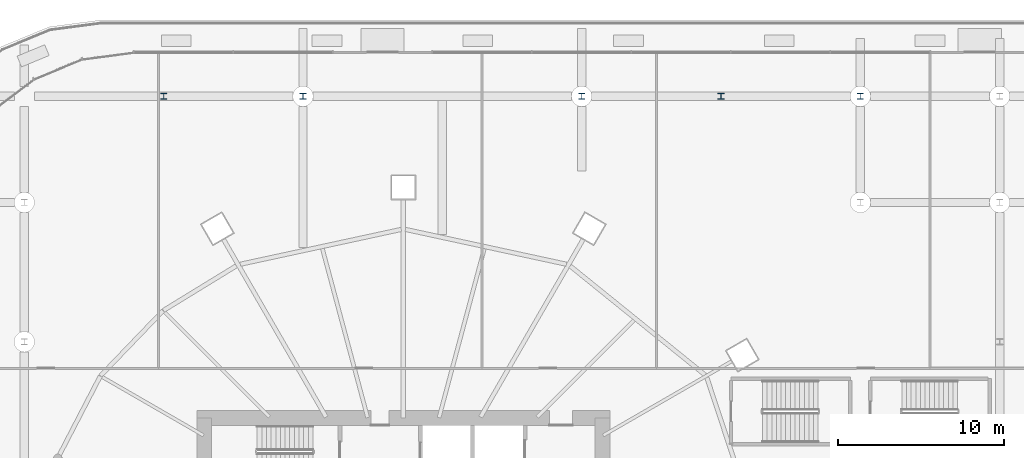
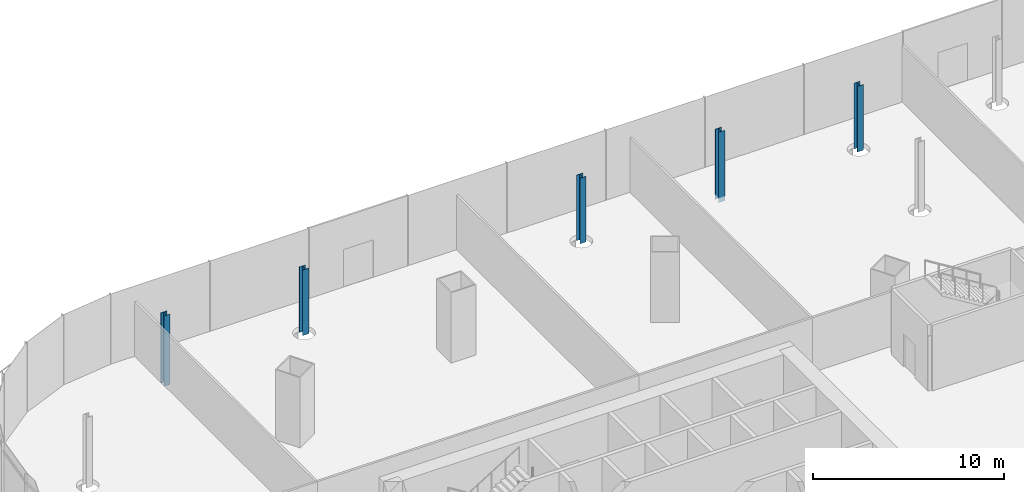
# One storey, part 9 of 56: 5 columns.
"""IFC4 building model written with IfcOpenShell, lengths in metres."""

from ifc_helpers import new_model, si_unit, direction, frame, origin, origin_2d, place, context, subcontext, project, spatial, i_section, extrude, material, material_profile, profile_set, type_object, element, save


model = new_model("IFC4")

# Units and contexts
model_context = context("Model", 3, precision=1e-05, world=origin(), true_north=direction((0.0, 1.0)))
body_context = subcontext(model_context, "Body", "Model", "MODEL_VIEW")
ifc_project = project(units=[si_unit("LENGTHUNIT", "METRE"), si_unit("AREAUNIT", "SQUARE_METRE"), si_unit("VOLUMEUNIT", "CUBIC_METRE"), si_unit("PLANEANGLEUNIT", "RADIAN"), si_unit("MASSUNIT", "GRAM", prefix="KILO")], contexts=[model_context])

# Site, building, storey
site_placement = place(None, origin())
site = spatial("IfcSite", under=ifc_project, at=site_placement, CompositionType="ELEMENT")
building_placement = place(site_placement, origin())
building = spatial("IfcBuilding", under=site, at=building_placement, Name="Rimbun Link Towers", CompositionType="ELEMENT")
storey_placement = place(building_placement, frame((0.0, 0.0, 16.5)))
storey = spatial("IfcBuildingStorey", under=building, at=storey_placement, Name="L03", CompositionType="ELEMENT", Elevation=16.5)

# Columns
ifc_material = material(Name="Steel S355J2", Category="steel")
ifc_material_profile = material_profile(ifc_material, i_section(OverallWidth=0.37060546875, OverallDepth=0.362060546875, WebThickness=0.01220703125, FlangeThickness=0.020751953125, at=origin_2d()), Name="UC 356x368x153")
ifc_profile_set = profile_set([ifc_material_profile], Name="Steel S355J2")
column_type = type_object("IfcColumnType", Name="UC 356x368x153", PredefinedType="COLUMN", material=ifc_profile_set)
column_1_placement = place(storey_placement, frame((-46.199951171875, 27.39990234375, -0.300048828125), z_axis=(0.0, 0.0, 1.0), x_axis=(1.0, 0.0, 0.0)))
element("IfcColumn", 1, at=column_1_placement, inside=storey, type_object=column_type, Name="Column L03 -46.2 +27.4", PredefinedType="COLUMN", context=body_context, shape_type="SweptSolid", body=[
    extrude(i_section(OverallWidth=0.37060546875, OverallDepth=0.362060546875, WebThickness=0.01220703125, FlangeThickness=0.020751953125, at=origin_2d()), origin(), (0.0, 0.0, 1.0), 4.5),
])
for number, where, z_axis, x_axis, name in (
    (2, (-37.800048828125, 27.39990234375, 0.0), (0.0, 0.0, 1.0), (1.0, 0.0, 0.0), "Column L03 -37.8 +27.4"),
    (3, (-21.0, 27.39990234375, 0.0), (0.0, 0.0, 1.0), (1.0, 0.0, 0.0), "Column L03 -21.0 +27.4"),
):
    element("IfcColumn", number, at=place(storey_placement, frame(where, z_axis=z_axis, x_axis=x_axis)), inside=storey, type_object=column_type, Name=name, PredefinedType="COLUMN", context=body_context, shape_type="SweptSolid", body=[
        extrude(i_section(OverallWidth=0.37060546875, OverallDepth=0.362060546875, WebThickness=0.01220703125, FlangeThickness=0.020751953125, at=origin_2d()), origin(), (0.0, 0.0, 1.0), 4.199951171875),
    ])
column_2_placement = place(storey_placement, frame((-12.60009765625, 27.39990234375, -0.300048828125), z_axis=(0.0, 0.0, 1.0), x_axis=(1.0, 0.0, 0.0)))
element("IfcColumn", 4, at=column_2_placement, inside=storey, type_object=column_type, Name="Column L03 -12.6 +27.4", PredefinedType="COLUMN", context=body_context, shape_type="SweptSolid", body=[
    extrude(i_section(OverallWidth=0.37060546875, OverallDepth=0.362060546875, WebThickness=0.01220703125, FlangeThickness=0.020751953125, at=origin_2d()), origin(), (0.0, 0.0, 1.0), 4.5),
])
column_3_placement = place(storey_placement, frame((-4.199951171875, 27.39990234375, 0.0), z_axis=(0.0, 0.0, 1.0), x_axis=(1.0, 0.0, 0.0)))
element("IfcColumn", 5, at=column_3_placement, inside=storey, type_object=column_type, Name="Column L03 -4.2 +27.4", PredefinedType="COLUMN", context=body_context, shape_type="SweptSolid", body=[
    extrude(i_section(OverallWidth=0.37060546875, OverallDepth=0.362060546875, WebThickness=0.01220703125, FlangeThickness=0.020751953125, at=origin_2d()), origin(), (0.0, 0.0, 1.0), 4.199951171875),
])

save(model, "model.ifc")
